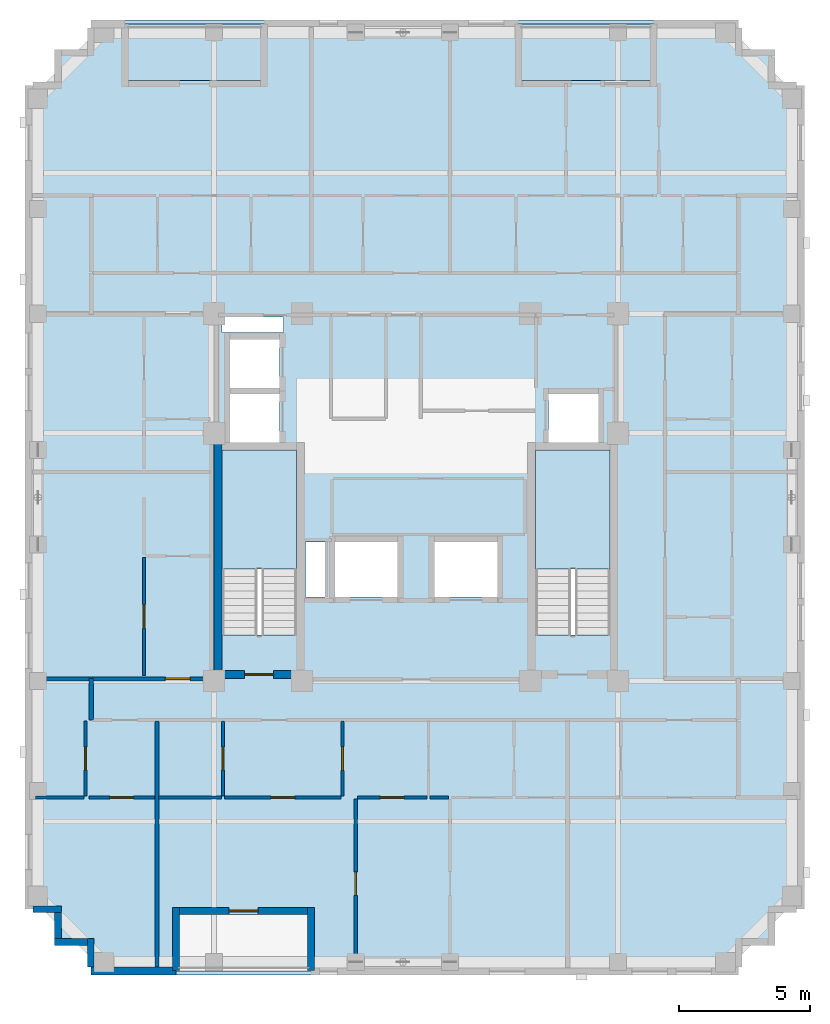
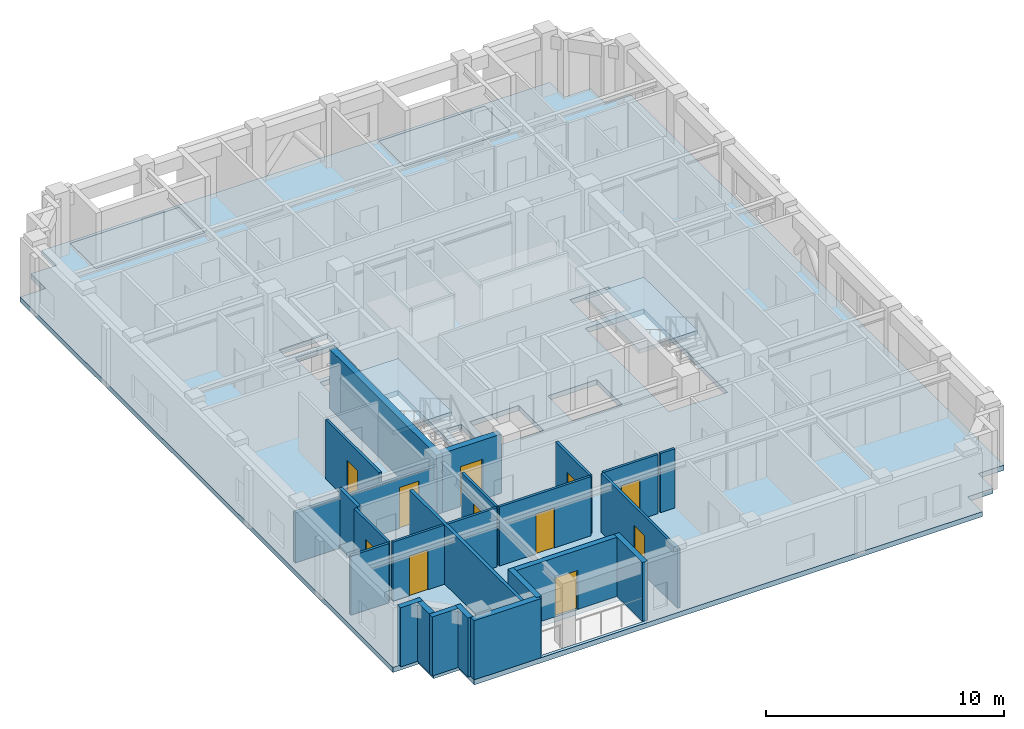
# One storey, part 2 of 11: 24 walls, 11 doors, 5 slabs, 11 openings, 2 elements without a shape of their own.
"""IFC4 building model written with IfcOpenShell, lengths in metres."""

from ifc_helpers import new_model, si_unit, derived_unit, direction, frame, frame_2d, origin, place, context, subcontext, project, spatial, polyline, rectangle, outline, extrude, material, layer, layer_set, type_object, element, fill, aggregate, save


model = new_model("IFC4")

# Units and contexts
model_context = context("Model", 3, precision=1e-05, world=origin(), true_north=direction((0.0, 1.0)))
body_context = subcontext(model_context, "Body", "Model", "MODEL_VIEW")
ifc_project = project(units=[si_unit("LENGTHUNIT", "METRE"), si_unit("AREAUNIT", "SQUARE_METRE"), si_unit("VOLUMEUNIT", "CUBIC_METRE"), si_unit("PLANEANGLEUNIT", "RADIAN"), si_unit("MASSUNIT", "GRAM", prefix="KILO"), derived_unit("THERMALTRANSMITTANCEUNIT", [(si_unit("MASSUNIT", "GRAM", prefix="KILO"), 1), (si_unit("TIMEUNIT", "SECOND"), -3), (si_unit("THERMODYNAMICTEMPERATUREUNIT", "KELVIN"), -1)])], contexts=[model_context])

# Site, building, storey
site_placement = place(None, origin())
site = spatial("IfcSite", under=ifc_project, at=site_placement, CompositionType="ELEMENT")
building_placement = place(site_placement, origin())
building = spatial("IfcBuilding", under=site, at=building_placement, Name="Korrvale Station Residences", CompositionType="ELEMENT")
storey_placement = place(building_placement, frame((0.0, 0.0, 187.60009765625)))
storey = spatial("IfcBuildingStorey", under=building, at=storey_placement, Name="L54", CompositionType="ELEMENT", Elevation=187.60009765625)

# Slabs
ifc_material_1 = material(Name="Concrete C50/60", Category="concrete")
ifc_layer_1 = layer(ifc_material_1, 0.219970703125, Name="Concrete C50/60")
ifc_layer_set_1 = layer_set([ifc_layer_1], Name="Concrete C50/60")
slab_type_1 = type_object("IfcSlabType", Name="SLB-BAL-220", PredefinedType="FLOOR", material=ifc_layer_set_1)
slab_1_placement = place(storey_placement, frame((0.0, 0.0, -0.22021484375)))
element("IfcSlab", 1, at=slab_1_placement, inside=storey, type_object=slab_type_1, Name="L54 Recessed Loggia Balcony Slab BAL-L54-N1", PredefinedType="FLOOR", context=body_context, shape_type="SweptSolid", body=[
    extrude(outline(polyline([(29.39990234375, 37.89990234375), (34.550048828125, 37.89990234375), (34.550048828125, 40.050048828125), (29.39990234375, 40.050048828125), (29.39990234375, 37.89990234375)])), origin(), (0.0, 0.0, 1.0), 0.22021484375),
])
slab_2_placement = place(storey_placement, frame((0.0, 0.0, -0.22021484375)))
element("IfcSlab", 2, at=slab_2_placement, inside=storey, type_object=slab_type_1, Name="L54 Recessed Loggia Balcony Slab BAL-L54-N2", PredefinedType="FLOOR", context=body_context, shape_type="SweptSolid", body=[
    extrude(outline(polyline([(14.39990234375, 37.89990234375), (19.699951171875, 37.89990234375), (19.699951171875, 40.050048828125), (14.39990234375, 40.050048828125), (14.39990234375, 37.89990234375)])), origin(), (0.0, 0.0, 1.0), 0.22021484375),
])
ifc_layer_2 = layer(ifc_material_1, 0.260009765625, Name="Concrete C50/60")
ifc_layer_set_2 = layer_set([ifc_layer_2], Name="Concrete C50/60")
slab_type_2 = type_object("IfcSlabType", Name="SLB-FLR-260", PredefinedType="FLOOR", material=ifc_layer_set_2)
slab_3_placement = place(storey_placement, frame((0.0, 0.0, -0.260009765625)))
element("IfcSlab", 3, at=slab_3_placement, inside=storey, type_object=slab_type_2, Name="L54 Suspended Structural Floor Slab", PredefinedType="FLOOR", context=body_context, shape_type="SweptSolid", body=[
    extrude(outline(polyline([(13.10009765625, 3.800048828125), (37.800048828125, 3.800048828125), (37.800048828125, 5.050048828125), (39.050048828125, 5.050048828125), (39.050048828125, 6.300048828125), (40.300048828125, 6.300048828125), (40.300048828125, 37.699951171875), (39.050048828125, 37.699951171875), (39.050048828125, 38.949951171875), (37.800048828125, 38.949951171875), (37.800048828125, 40.199951171875), (13.10009765625, 40.199951171875), (13.10009765625, 38.949951171875), (11.85009765625, 38.949951171875), (11.85009765625, 37.699951171875), (10.60009765625, 37.699951171875), (10.60009765625, 6.300048828125), (11.85009765625, 6.300048828125), (11.85009765625, 5.050048828125), (13.10009765625, 5.050048828125), (13.10009765625, 3.800048828125)]), holes=[polyline([(20.949951171875, 16.751953125), (20.949951171875, 23.800048828125), (18.10009765625, 23.800048828125), (18.10009765625, 16.751953125), (20.949951171875, 16.751953125)]), polyline([(32.89990234375, 16.751953125), (32.89990234375, 23.800048828125), (30.050048828125, 23.800048828125), (30.050048828125, 16.751953125), (32.89990234375, 16.751953125)]), polyline([(18.39990234375, 24.10009765625), (20.300048828125, 24.10009765625), (20.300048828125, 25.949951171875), (18.39990234375, 25.949951171875), (18.39990234375, 24.10009765625)]), polyline([(18.39990234375, 26.169921875), (20.300048828125, 26.169921875), (20.300048828125, 28.02001953125), (18.39990234375, 28.02001953125), (18.39990234375, 26.169921875)]), polyline([(30.550048828125, 24.10009765625), (32.449951171875, 24.10009765625), (32.449951171875, 25.949951171875), (30.550048828125, 25.949951171875), (30.550048828125, 24.10009765625)]), polyline([(22.39990234375, 18.199951171875), (24.800048828125, 18.199951171875), (24.800048828125, 20.300048828125), (22.39990234375, 20.300048828125), (22.39990234375, 18.199951171875)]), polyline([(26.199951171875, 18.199951171875), (28.60009765625, 18.199951171875), (28.60009765625, 20.300048828125), (26.199951171875, 20.300048828125), (26.199951171875, 18.199951171875)]), polyline([(18.10009765625, 28.280029296875), (20.449951171875, 28.280029296875), (20.449951171875, 28.8798828125), (18.10009765625, 28.8798828125), (18.10009765625, 28.280029296875)]), polyline([(21.280029296875, 18.199951171875), (22.02001953125, 18.199951171875), (22.02001953125, 20.300048828125), (21.280029296875, 20.300048828125), (21.280029296875, 18.199951171875)]), polyline([(16.35009765625, 3.949951171875), (21.5, 3.949951171875), (21.5, 6.10009765625), (16.35009765625, 6.10009765625), (16.35009765625, 3.949951171875)]), polyline([(29.39990234375, 37.89990234375), (34.550048828125, 37.89990234375), (34.550048828125, 40.050048828125), (29.39990234375, 40.050048828125), (29.39990234375, 37.89990234375)]), polyline([(14.39990234375, 37.89990234375), (19.699951171875, 37.89990234375), (19.699951171875, 40.050048828125), (14.39990234375, 40.050048828125), (14.39990234375, 37.89990234375)])]), origin(), (0.0, 0.0, 1.0), 0.260009765625),
])

# Stair, slab
stair_type = type_object("IfcStairType", Name="STR-DL-1350-20R-1650", PredefinedType="HALF_TURN_STAIR", material=ifc_material_1)
stair_1_placement = place(storey_placement, origin())
stair_1 = element("IfcStair", 4, at=stair_1_placement, inside=storey, type_object=stair_type, Name="L54 Exit Stair 1", PredefinedType="HALF_TURN_STAIR")
ifc_layer_3 = layer(ifc_material_1, 0.199951171875, Name="Concrete C50/60")
ifc_layer_set_3 = layer_set([ifc_layer_3], Name="Concrete C50/60")
slab_type_3 = type_object("IfcSlabType", Name="SLB-LND-200", PredefinedType="LANDING", material=ifc_layer_set_3)
slab_4_placement = place(storey_placement, frame((0.0, 0.0, 1.449951171875)))
slab_4 = element("IfcSlab", 5, at=slab_4_placement, type_object=slab_type_3, Name="ST-1 landing 1", PredefinedType="LANDING", context=body_context, shape_type="SweptSolid", body=[
    extrude(outline(polyline([(20.949951171875, 19.27001953125), (20.949951171875, 23.800048828125), (18.10009765625, 23.800048828125), (18.10009765625, 19.27001953125), (20.949951171875, 19.27001953125)])), origin(), (0.0, 0.0, 1.0), 0.199951171875),
])
aggregate(stair_1, [slab_4])

stair_2_placement = place(storey_placement, origin())
stair_2 = element("IfcStair", 6, at=stair_2_placement, inside=storey, type_object=stair_type, Name="L54 Exit Stair 2", PredefinedType="HALF_TURN_STAIR")
slab_5_placement = place(storey_placement, frame((0.0, 0.0, 1.449951171875)))
slab_5 = element("IfcSlab", 7, at=slab_5_placement, type_object=slab_type_3, Name="ST-2 landing 1", PredefinedType="LANDING", context=body_context, shape_type="SweptSolid", body=[
    extrude(outline(polyline([(32.89990234375, 19.27001953125), (32.89990234375, 23.800048828125), (30.050048828125, 23.800048828125), (30.050048828125, 19.27001953125), (32.89990234375, 19.27001953125)])), origin(), (0.0, 0.0, 1.0), 0.199951171875),
])
aggregate(stair_2, [slab_5])

# Wall
ifc_layer_4 = layer(ifc_material_1, 0.300048828125, Name="Concrete C50/60")
ifc_layer_set_4 = layer_set([ifc_layer_4], Name="Concrete C50/60")
wall_type_1 = type_object("IfcWallType", Name="WAL-CORE-300-C50", PredefinedType="SHEAR", material=ifc_layer_set_4)
wall_1_placement = place(storey_placement, frame((17.949951171875, 15.10009765625, 0.0), z_axis=(0.0, 0.0, 1.0), x_axis=(0.0, 1.0, 0.0)))
element("IfcWall", 8, at=wall_1_placement, inside=storey, type_object=wall_type_1, Name="L54 ST-1 Core Shear Wall West", PredefinedType="SHEAR", context=body_context, shape_type="SweptSolid", body=[
    extrude(rectangle(XDim=9.0, YDim=0.300048828125, at=frame_2d((4.5, 0.0))), origin(), (0.0, 0.0, 1.0), 3.039794921875),
])

# Wall, opening, door
wall_2_placement = place(storey_placement, frame((18.10009765625, 15.25, 0.0), z_axis=(0.0, 0.0, 1.0), x_axis=(1.0, 0.0, 0.0)))
wall_2 = element("IfcWall", 9, at=wall_2_placement, inside=storey, type_object=wall_type_1, Name="L54 ST-1 Core Shear Wall South", PredefinedType="SHEAR", context=body_context, shape_type="SweptSolid", body=[
    extrude(rectangle(XDim=2.849853515625, YDim=0.300048828125, at=frame_2d((1.4248046875, 0.0))), origin(), (0.0, 0.0, 1.0), 3.039794921875),
])
opening_1_placement = place(wall_2_placement, frame((0.860107421875, 0.0, 0.0)))
opening_1 = element("IfcOpeningElement", 10, at=opening_1_placement, cuts=wall_2, Name="Opening SD-1100", PredefinedType="OPENING", context=body_context, shape_type="SweptSolid", body=[
    extrude(rectangle(XDim=1.10009765625, YDim=2.050048828125, at=frame_2d((0.550048828125, 1.02490234375))), frame((0.0, 0.16015625, 0.0), z_axis=(0.0, -1.0, 0.0), x_axis=(1.0, 0.0, 0.0)), (0.0, 0.0, 1.0), 0.320068359375),
])
ifc_material_2 = material(Name="Hollow-metal fire-rated stair door with closer", Category="steel")
door_type_1 = type_object("IfcDoorType", Name="DR-STAIR-1100", OperationType="NOTDEFINED", PredefinedType="DOOR", material=ifc_material_2)
door_1_placement = place(opening_1_placement, origin())
door_1 = element("IfcDoor", 11, at=door_1_placement, inside=storey, type_object=door_type_1, Name="L54 ST-1 Exit Stair Door", OperationType="SINGLE_SWING_LEFT", OverallHeight=2.050048828125, OverallWidth=1.10009765625, PredefinedType="DOOR", context=body_context, shape_type="SweptSolid", body=[
    extrude(rectangle(XDim=1.10009765625, YDim=2.050048828125, at=frame_2d((0.550048828125, 1.02490234375))), frame((0.0, 0.02490234375, 0.0), z_axis=(0.0, -1.0, 0.0), x_axis=(1.0, 0.0, 0.0)), (0.0, 0.0, 1.0), 0.050048828125),
])
fill(opening_1, door_1)

# Wall
ifc_material_3 = material(Name="Precast concrete C45/55", Category="concrete")
ifc_layer_5 = layer(ifc_material_3, 0.260009765625, Name="Precast concrete C45/55")
ifc_layer_set_5 = layer_set([ifc_layer_5], Name="Precast concrete C45/55")
wall_type_2 = type_object("IfcWallType", Name="WAL-EXT-LOG260", PredefinedType="SOLIDWALL", material=ifc_layer_set_5)
wall_3_placement = place(storey_placement, frame((21.5, 3.9599609375, 0.0), z_axis=(0.0, 0.0, 1.0), x_axis=(0.0, 1.0, 0.0)))
element("IfcWall", 12, at=wall_3_placement, inside=storey, type_object=wall_type_2, Name="L54 Recessed Loggia Wall BAL-L54-S1-L", PredefinedType="SOLIDWALL", context=body_context, shape_type="SweptSolid", body=[
    extrude(rectangle(XDim=2.400146484375, YDim=0.260009765625, at=frame_2d((1.2001953125, 0.0))), origin(), (0.0, 0.0, 1.0), 3.039794921875),
])

# Wall, opening, door
wall_4_placement = place(storey_placement, frame((21.365966796875, 6.22998046875, 0.0), z_axis=(0.0, 0.0, 1.0), x_axis=(-1.0, 0.0, 0.0)))
wall_4 = element("IfcWall", 13, at=wall_4_placement, inside=storey, type_object=wall_type_2, Name="L54 Recessed Loggia Wall BAL-L54-S1-B", PredefinedType="SOLIDWALL", context=body_context, shape_type="SweptSolid", body=[
    extrude(rectangle(XDim=4.882080078125, YDim=0.260009765625, at=frame_2d((2.44091796875, 0.0))), origin(), (0.0, 0.0, 1.0), 3.039794921875),
])
opening_2_placement = place(wall_4_placement, frame((1.89111328125, 0.0, 0.0)))
opening_2 = element("IfcOpeningElement", 14, at=opening_2_placement, cuts=wall_4, Name="Opening BD-01", PredefinedType="OPENING", context=body_context, shape_type="SweptSolid", body=[
    extrude(rectangle(XDim=1.10009765625, YDim=2.0, at=frame_2d((0.550048828125, 1.0))), frame((0.0, 0.14013671875, 0.0), z_axis=(0.0, -1.0, 0.0), x_axis=(1.0, 0.0, 0.0)), (0.0, 0.0, 1.0), 0.280029296875),
])
ifc_material_4 = material(Name="Exterior thermally broken aluminium glazed balcony door", Category="aluminium")
door_type_2 = type_object("IfcDoorType", Name="DR-EXT-BAL", OperationType="NOTDEFINED", PredefinedType="DOOR", material=ifc_material_4)
door_2_placement = place(opening_2_placement, origin())
door_2 = element("IfcDoor", 15, at=door_2_placement, inside=storey, type_object=door_type_2, Name="L54 Loggia Balcony Door BAL-L54-S1", OperationType="SINGLE_SWING_RIGHT", OverallHeight=2.0, OverallWidth=1.10009765625, PredefinedType="DOOR", context=body_context, shape_type="SweptSolid", body=[
    extrude(rectangle(XDim=1.10009765625, YDim=2.0, at=frame_2d((0.550048828125, 1.0))), frame((0.0, 0.02490234375, 0.0), z_axis=(0.0, -1.0, 0.0), x_axis=(1.0, 0.0, 0.0)), (0.0, 0.0, 1.0), 0.050048828125),
])
fill(opening_2, door_2)

# Walls
wall_5_placement = place(storey_placement, frame((16.35009765625, 6.360107421875, 0.0), z_axis=(0.0, 0.0, 1.0), x_axis=(0.0, -1.0, 0.0)))
element("IfcWall", 16, at=wall_5_placement, inside=storey, type_object=wall_type_2, Name="L54 Recessed Loggia Wall BAL-L54-S1-R", PredefinedType="SOLIDWALL", context=body_context, shape_type="SweptSolid", body=[
    extrude(rectangle(XDim=2.400146484375, YDim=0.260009765625, at=frame_2d((1.2001953125, 0.0))), origin(), (0.0, 0.0, 1.0), 3.039794921875),
])
wall_6_placement = place(storey_placement, frame((13.10009765625, 4.10205078125, 0.0), z_axis=(0.0, 0.0, 1.0), x_axis=(0.0, 1.0, 0.0)))
element("IfcWall", 17, at=wall_6_placement, inside=storey, type_object=wall_type_2, Name="L54 Serrated Corner Precast Step SW-1", PredefinedType="SOLIDWALL", context=body_context, shape_type="SweptSolid", body=[
    extrude(rectangle(XDim=1.077880859375, YDim=0.260009765625, at=frame_2d((0.5390625, 0.0))), origin(), (0.0, 0.0, 1.0), 3.039794921875),
])
wall_7_placement = place(storey_placement, frame((12.968017578125, 5.050048828125, 0.0), z_axis=(0.0, 0.0, 1.0), x_axis=(-1.0, 0.0, 0.0)))
element("IfcWall", 18, at=wall_7_placement, inside=storey, type_object=wall_type_2, Name="L54 Serrated Corner Precast Step SW-2", PredefinedType="SOLIDWALL", context=body_context, shape_type="SweptSolid", body=[
    extrude(rectangle(XDim=1.248046875, YDim=0.260009765625, at=frame_2d((0.6240234375, 0.0))), origin(), (0.0, 0.0, 1.0), 3.039794921875),
])
wall_8_placement = place(storey_placement, frame((11.85009765625, 5.181884765625, 0.0), z_axis=(0.0, 0.0, 1.0), x_axis=(0.0, 1.0, 0.0)))
element("IfcWall", 19, at=wall_8_placement, inside=storey, type_object=wall_type_2, Name="L54 Serrated Corner Precast Step SW-3", PredefinedType="SOLIDWALL", context=body_context, shape_type="SweptSolid", body=[
    extrude(rectangle(XDim=0.986083984375, YDim=0.260009765625, at=frame_2d((0.4931640625, 0.0))), origin(), (0.0, 0.0, 1.0), 3.039794921875),
])
wall_9_placement = place(storey_placement, frame((11.97998046875, 6.300048828125, 0.0), z_axis=(0.0, 0.0, 1.0), x_axis=(-1.0, 0.0, 0.0)))
element("IfcWall", 20, at=wall_9_placement, inside=storey, type_object=wall_type_2, Name="L54 Serrated Corner Precast Step SW-4", PredefinedType="SOLIDWALL", context=body_context, shape_type="SweptSolid", body=[
    extrude(rectangle(XDim=1.077880859375, YDim=0.260009765625, at=frame_2d((0.5390625, 0.0))), origin(), (0.0, 0.0, 1.0), 3.039794921875),
])
ifc_layer_6 = layer(ifc_material_3, 0.300048828125, Name="Precast concrete C45/55")
ifc_layer_set_6 = layer_set([ifc_layer_6], Name="Precast concrete C45/55")
wall_type_3 = type_object("IfcWallType", Name="WAL-EXT-PC300", PredefinedType="SOLIDWALL", material=ifc_layer_set_6)
wall_10_placement = place(storey_placement, frame((16.35009765625, 3.949951171875, 0.0), z_axis=(0.0, 0.0, 1.0), x_axis=(-1.0, 0.0, 0.0)))
element("IfcWall", 21, at=wall_10_placement, inside=storey, type_object=wall_type_3, Name="L54 South Exterior Precast Wall 2", PredefinedType="SOLIDWALL", context=body_context, shape_type="SweptSolid", body=[
    extrude(rectangle(XDim=3.25, YDim=0.300048828125, at=frame_2d((1.625, 0.0))), origin(), (0.0, 0.0, 1.0), 3.039794921875),
])

# Wall, opening, door
ifc_material_5 = material(Name="Acoustic steel-stud gypsum board partition", Category="steel")
ifc_layer_7 = layer(ifc_material_5, 0.1201171875, Name="Acoustic steel-stud gypsum board partition")
ifc_layer_set_7 = layer_set([ifc_layer_7], Name="Acoustic steel-stud gypsum board partition")
wall_type_4 = type_object("IfcWallType", Name="WAL-PART-125", PredefinedType="PARTITIONING", material=ifc_layer_set_7)
wall_11_placement = place(storey_placement, frame((12.89990234375, 10.6201171875, 0.0), z_axis=(0.0, 0.0, 1.0), x_axis=(0.0, 1.0, 0.0)))
wall_11 = element("IfcWall", 22, at=wall_11_placement, inside=storey, type_object=wall_type_4, Name="L54 Suite Partition U01-V01", PredefinedType="PARTITIONING", context=body_context, shape_type="SweptSolid", body=[
    extrude(rectangle(XDim=2.849853515625, YDim=0.1201171875, at=frame_2d((1.4248046875, 0.0))), origin(), (0.0, 0.0, 1.0), 3.039794921875),
])
opening_3_placement = place(wall_11_placement, frame((0.9951171875, 0.0, 0.0)))
opening_3 = element("IfcOpeningElement", 23, at=opening_3_placement, cuts=wall_11, Name="Opening DB-860", PredefinedType="OPENING", context=body_context, shape_type="SweptSolid", body=[
    extrude(rectangle(XDim=0.860107421875, YDim=2.050048828125, at=frame_2d((0.43017578125, 1.02490234375))), frame((0.0, 0.070068359375, 0.0), z_axis=(0.0, -1.0, 0.0), x_axis=(1.0, 0.0, 0.0)), (0.0, 0.0, 1.0), 0.14013671875),
])
ifc_material_6 = material(Name="Moisture-resistant solid-core bathroom door", Category="timber")
door_type_3 = type_object("IfcDoorType", Name="DR-BATH-860", OperationType="NOTDEFINED", PredefinedType="DOOR", material=ifc_material_6)
door_3_placement = place(opening_3_placement, origin())
door_3 = element("IfcDoor", 24, at=door_3_placement, inside=storey, type_object=door_type_3, Name="L54 Studio Apartment L54-U01 Bathroom Door", OperationType="SINGLE_SWING_LEFT", OverallHeight=2.050048828125, OverallWidth=0.860107421875, PredefinedType="DOOR", context=body_context, shape_type="SweptSolid", body=[
    extrude(rectangle(XDim=0.860107421875, YDim=2.050048828125, at=frame_2d((0.43017578125, 1.02490234375))), frame((0.0, 0.02490234375, 0.0), z_axis=(0.0, -1.0, 0.0), x_axis=(1.0, 0.0, 0.0)), (0.0, 0.0, 1.0), 0.050048828125),
])
fill(opening_3, door_3)

# Wall
wall_12_placement = place(storey_placement, frame((10.989990234375, 10.56005859375, 0.0), z_axis=(0.0, 0.0, 1.0), x_axis=(1.0, 0.0, 0.0)))
element("IfcWall", 25, at=wall_12_placement, inside=storey, type_object=wall_type_4, Name="L54 Suite Partition U01-H02", PredefinedType="PARTITIONING", context=body_context, shape_type="SweptSolid", body=[
    extrude(rectangle(XDim=1.85009765625, YDim=0.1201171875, at=frame_2d((0.925048828125, 0.0))), origin(), (0.0, 0.0, 1.0), 3.039794921875),
])

# Wall, opening, door
wall_13_placement = place(storey_placement, frame((13.030029296875, 10.56005859375, 0.0), z_axis=(0.0, 0.0, 1.0), x_axis=(1.0, 0.0, 0.0)))
wall_13 = element("IfcWall", 26, at=wall_13_placement, inside=storey, type_object=wall_type_4, Name="L54 Suite Partition U01-H12", PredefinedType="PARTITIONING", context=body_context, shape_type="SweptSolid", body=[
    extrude(rectangle(XDim=2.489990234375, YDim=0.1201171875, at=frame_2d((1.2451171875, 0.0))), origin(), (0.0, 0.0, 1.0), 3.039794921875),
])
opening_4_placement = place(wall_13_placement, frame((0.794921875, 0.0, 0.0)))
opening_4 = element("IfcOpeningElement", 27, at=opening_4_placement, cuts=wall_13, Name="Opening DI-900", PredefinedType="OPENING", context=body_context, shape_type="SweptSolid", body=[
    extrude(rectangle(XDim=0.89990234375, YDim=2.050048828125, at=frame_2d((0.449951171875, 1.02490234375))), frame((0.0, 0.070068359375, 0.0), z_axis=(0.0, -1.0, 0.0), x_axis=(1.0, 0.0, 0.0)), (0.0, 0.0, 1.0), 0.14013671875),
])
ifc_material_7 = material(Name="Painted solid-core timber interior room door", Category="wood")
door_type_4 = type_object("IfcDoorType", Name="DR-INT-900", OperationType="NOTDEFINED", PredefinedType="DOOR", material=ifc_material_7)
door_4_placement = place(opening_4_placement, origin())
door_4 = element("IfcDoor", 28, at=door_4_placement, inside=storey, type_object=door_type_4, Name="L54 Studio Apartment L54-U01 Kitchen Door", OperationType="SINGLE_SWING_RIGHT", OverallHeight=2.050048828125, OverallWidth=0.89990234375, PredefinedType="DOOR", context=body_context, shape_type="SweptSolid", body=[
    extrude(rectangle(XDim=0.89990234375, YDim=2.050048828125, at=frame_2d((0.449951171875, 1.02490234375))), frame((0.0, 0.02490234375, 0.0), z_axis=(0.0, -1.0, 0.0), x_axis=(1.0, 0.0, 0.0)), (0.0, 0.0, 1.0), 0.050048828125),
])
fill(opening_4, door_4)

wall_14_placement = place(storey_placement, frame((18.139892578125, 10.6201171875, 0.0), z_axis=(0.0, 0.0, 1.0), x_axis=(0.0, 1.0, 0.0)))
wall_14 = element("IfcWall", 29, at=wall_14_placement, inside=storey, type_object=wall_type_4, Name="L54 Suite Partition U02-V01", PredefinedType="PARTITIONING", context=body_context, shape_type="SweptSolid", body=[
    extrude(rectangle(XDim=2.849853515625, YDim=0.1201171875, at=frame_2d((1.4248046875, 0.0))), origin(), (0.0, 0.0, 1.0), 3.039794921875),
])
opening_5_placement = place(wall_14_placement, frame((0.9951171875, 0.0, 0.0)))
opening_5 = element("IfcOpeningElement", 30, at=opening_5_placement, cuts=wall_14, Name="Opening DB-860", PredefinedType="OPENING", context=body_context, shape_type="SweptSolid", body=[
    extrude(rectangle(XDim=0.860107421875, YDim=2.050048828125, at=frame_2d((0.43017578125, 1.02490234375))), frame((0.0, 0.070068359375, 0.0), z_axis=(0.0, -1.0, 0.0), x_axis=(1.0, 0.0, 0.0)), (0.0, 0.0, 1.0), 0.14013671875),
])
door_5_placement = place(opening_5_placement, origin())
door_5 = element("IfcDoor", 31, at=door_5_placement, inside=storey, type_object=door_type_3, Name="L54 Apartment 1BR L54-U02 Bathroom Door", OperationType="SINGLE_SWING_LEFT", OverallHeight=2.050048828125, OverallWidth=0.860107421875, PredefinedType="DOOR", context=body_context, shape_type="SweptSolid", body=[
    extrude(rectangle(XDim=0.860107421875, YDim=2.050048828125, at=frame_2d((0.43017578125, 1.02490234375))), frame((0.0, 0.02490234375, 0.0), z_axis=(0.0, -1.0, 0.0), x_axis=(1.0, 0.0, 0.0)), (0.0, 0.0, 1.0), 0.050048828125),
])
fill(opening_5, door_5)

# Wall
wall_15_placement = place(storey_placement, frame((15.679931640625, 10.56005859375, 0.0), z_axis=(0.0, 0.0, 1.0), x_axis=(1.0, 0.0, 0.0)))
element("IfcWall", 32, at=wall_15_placement, inside=storey, type_object=wall_type_4, Name="L54 Suite Partition U02-H05", PredefinedType="PARTITIONING", context=body_context, shape_type="SweptSolid", body=[
    extrude(rectangle(XDim=2.400146484375, YDim=0.1201171875, at=frame_2d((1.2001953125, 0.0))), origin(), (0.0, 0.0, 1.0), 3.039794921875),
])

# Wall, opening, door
wall_16_placement = place(storey_placement, frame((22.699951171875, 10.6201171875, 0.0), z_axis=(0.0, 0.0, 1.0), x_axis=(0.0, 1.0, 0.0)))
wall_16 = element("IfcWall", 33, at=wall_16_placement, inside=storey, type_object=wall_type_4, Name="L54 Suite Partition U02-V12", PredefinedType="PARTITIONING", context=body_context, shape_type="SweptSolid", body=[
    extrude(rectangle(XDim=2.849853515625, YDim=0.1201171875, at=frame_2d((1.4248046875, 0.0))), origin(), (0.0, 0.0, 1.0), 3.039794921875),
])
opening_6_placement = place(wall_16_placement, frame((0.97509765625, 0.0, 0.0)))
opening_6 = element("IfcOpeningElement", 34, at=opening_6_placement, cuts=wall_16, Name="Opening DI-900", PredefinedType="OPENING", context=body_context, shape_type="SweptSolid", body=[
    extrude(rectangle(XDim=0.89990234375, YDim=2.050048828125, at=frame_2d((0.449951171875, 1.02490234375))), frame((0.0, 0.070068359375, 0.0), z_axis=(0.0, -1.0, 0.0), x_axis=(1.0, 0.0, 0.0)), (0.0, 0.0, 1.0), 0.14013671875),
])
door_6_placement = place(opening_6_placement, origin())
door_6 = element("IfcDoor", 35, at=door_6_placement, inside=storey, type_object=door_type_4, Name="L54 Apartment 1BR L54-U02 Kitchen Door", OperationType="SINGLE_SWING_RIGHT", OverallHeight=2.050048828125, OverallWidth=0.89990234375, PredefinedType="DOOR", context=body_context, shape_type="SweptSolid", body=[
    extrude(rectangle(XDim=0.89990234375, YDim=2.050048828125, at=frame_2d((0.449951171875, 1.02490234375))), frame((0.0, 0.02490234375, 0.0), z_axis=(0.0, -1.0, 0.0), x_axis=(1.0, 0.0, 0.0)), (0.0, 0.0, 1.0), 0.050048828125),
])
fill(opening_6, door_6)

wall_17_placement = place(storey_placement, frame((18.199951171875, 10.56005859375, 0.0), z_axis=(0.0, 0.0, 1.0), x_axis=(1.0, 0.0, 0.0)))
wall_17 = element("IfcWall", 36, at=wall_17_placement, inside=storey, type_object=wall_type_4, Name="L54 Suite Partition U02-H15", PredefinedType="PARTITIONING", context=body_context, shape_type="SweptSolid", body=[
    extrude(rectangle(XDim=4.43994140625, YDim=0.1201171875, at=frame_2d((2.219970703125, 0.0))), origin(), (0.0, 0.0, 1.0), 3.039794921875),
])
opening_7_placement = place(wall_17_placement, frame((1.77001953125, 0.0, 0.0)))
opening_7 = element("IfcOpeningElement", 37, at=opening_7_placement, cuts=wall_17, Name="Opening DI-900", PredefinedType="OPENING", context=body_context, shape_type="SweptSolid", body=[
    extrude(rectangle(XDim=0.89990234375, YDim=2.050048828125, at=frame_2d((0.449951171875, 1.02490234375))), frame((0.0, 0.070068359375, 0.0), z_axis=(0.0, -1.0, 0.0), x_axis=(1.0, 0.0, 0.0)), (0.0, 0.0, 1.0), 0.14013671875),
])
door_7_placement = place(opening_7_placement, origin())
door_7 = element("IfcDoor", 38, at=door_7_placement, inside=storey, type_object=door_type_4, Name="L54 Apartment 1BR L54-U02 Kitchen Door", OperationType="SINGLE_SWING_LEFT", OverallHeight=2.050048828125, OverallWidth=0.89990234375, PredefinedType="DOOR", context=body_context, shape_type="SweptSolid", body=[
    extrude(rectangle(XDim=0.89990234375, YDim=2.050048828125, at=frame_2d((0.449951171875, 1.02490234375))), frame((0.0, 0.02490234375, 0.0), z_axis=(0.0, -1.0, 0.0), x_axis=(1.0, 0.0, 0.0)), (0.0, 0.0, 1.0), 0.050048828125),
])
fill(opening_7, door_7)

wall_18_placement = place(storey_placement, frame((23.260009765625, 10.56005859375, 0.0), z_axis=(0.0, 0.0, 1.0), x_axis=(1.0, 0.0, 0.0)))
wall_18 = element("IfcWall", 39, at=wall_18_placement, inside=storey, type_object=wall_type_4, Name="L54 Suite Partition U02-H26", PredefinedType="PARTITIONING", context=body_context, shape_type="SweptSolid", body=[
    extrude(rectangle(XDim=2.64990234375, YDim=0.1201171875, at=frame_2d((1.324951171875, 0.0))), origin(), (0.0, 0.0, 1.0), 3.039794921875),
])
opening_8_placement = place(wall_18_placement, frame((0.875, 0.0, 0.0)))
opening_8 = element("IfcOpeningElement", 40, at=opening_8_placement, cuts=wall_18, Name="Opening DI-900", PredefinedType="OPENING", context=body_context, shape_type="SweptSolid", body=[
    extrude(rectangle(XDim=0.89990234375, YDim=2.050048828125, at=frame_2d((0.449951171875, 1.02490234375))), frame((0.0, 0.070068359375, 0.0), z_axis=(0.0, -1.0, 0.0), x_axis=(1.0, 0.0, 0.0)), (0.0, 0.0, 1.0), 0.14013671875),
])
door_8_placement = place(opening_8_placement, origin())
door_8 = element("IfcDoor", 41, at=door_8_placement, inside=storey, type_object=door_type_4, Name="L54 Apartment 1BR L54-U02 Home Study Room Door", OperationType="SINGLE_SWING_LEFT", OverallHeight=2.050048828125, OverallWidth=0.89990234375, PredefinedType="DOOR", context=body_context, shape_type="SweptSolid", body=[
    extrude(rectangle(XDim=0.89990234375, YDim=2.050048828125, at=frame_2d((0.449951171875, 1.02490234375))), frame((0.0, 0.02490234375, 0.0), z_axis=(0.0, -1.0, 0.0), x_axis=(1.0, 0.0, 0.0)), (0.0, 0.0, 1.0), 0.050048828125),
])
fill(opening_8, door_8)

# Wall
wall_19_placement = place(storey_placement, frame((26.030029296875, 10.56005859375, 0.0), z_axis=(0.0, 0.0, 1.0), x_axis=(1.0, 0.0, 0.0)))
element("IfcWall", 42, at=wall_19_placement, inside=storey, type_object=wall_type_4, Name="L54 Suite Partition U02-H36", PredefinedType="PARTITIONING", context=body_context, shape_type="SweptSolid", body=[
    extrude(rectangle(XDim=0.7099609375, YDim=0.1201171875, at=frame_2d((0.35498046875, 0.0))), origin(), (0.0, 0.0, 1.0), 3.039794921875),
])

# Wall, opening, door
wall_20_placement = place(storey_placement, frame((23.199951171875, 4.080078125, 0.0), z_axis=(0.0, 0.0, 1.0), x_axis=(0.0, 1.0, 0.0)))
wall_20 = element("IfcWall", 43, at=wall_20_placement, inside=storey, type_object=wall_type_4, Name="L54 Suite Partition U02-V56", PredefinedType="PARTITIONING", context=body_context, shape_type="SweptSolid", body=[
    extrude(rectangle(XDim=6.419921875, YDim=0.1201171875, at=frame_2d((3.2099609375, 0.0))), origin(), (0.0, 0.0, 1.0), 3.039794921875),
])
opening_9_placement = place(wall_20_placement, frame((2.7451171875, 0.0, 0.0)))
opening_9 = element("IfcOpeningElement", 44, at=opening_9_placement, cuts=wall_20, Name="Opening DI-900", PredefinedType="OPENING", context=body_context, shape_type="SweptSolid", body=[
    extrude(rectangle(XDim=0.89990234375, YDim=2.050048828125, at=frame_2d((0.449951171875, 1.02490234375))), frame((0.0, 0.070068359375, 0.0), z_axis=(0.0, -1.0, 0.0), x_axis=(1.0, 0.0, 0.0)), (0.0, 0.0, 1.0), 0.14013671875),
])
door_9_placement = place(opening_9_placement, origin())
door_9 = element("IfcDoor", 45, at=door_9_placement, inside=storey, type_object=door_type_4, Name="L54 Apartment 1BR L54-U02 Living and Dining Room Door", OperationType="SINGLE_SWING_LEFT", OverallHeight=2.050048828125, OverallWidth=0.89990234375, PredefinedType="DOOR", context=body_context, shape_type="SweptSolid", body=[
    extrude(rectangle(XDim=0.89990234375, YDim=2.050048828125, at=frame_2d((0.449951171875, 1.02490234375))), frame((0.0, 0.02490234375, 0.0), z_axis=(0.0, -1.0, 0.0), x_axis=(1.0, 0.0, 0.0)), (0.0, 0.0, 1.0), 0.050048828125),
])
fill(opening_9, door_9)

wall_21_placement = place(storey_placement, frame((15.1298828125, 15.2099609375, 0.0), z_axis=(0.0, 0.0, 1.0), x_axis=(0.0, 1.0, 0.0)))
wall_21 = element("IfcWall", 46, at=wall_21_placement, inside=storey, type_object=wall_type_4, Name="L54 Suite Partition U07-V12", PredefinedType="PARTITIONING", context=body_context, shape_type="SweptSolid", body=[
    extrude(rectangle(XDim=4.5, YDim=0.1201171875, at=frame_2d((2.25, 0.0))), origin(), (0.0, 0.0, 1.0), 3.039794921875),
])
opening_10_placement = place(wall_21_placement, frame((1.800048828125, 0.0, 0.0)))
opening_10 = element("IfcOpeningElement", 47, at=opening_10_placement, cuts=wall_21, Name="Opening DI-900", PredefinedType="OPENING", context=body_context, shape_type="SweptSolid", body=[
    extrude(rectangle(XDim=0.89990234375, YDim=2.050048828125, at=frame_2d((0.449951171875, 1.02490234375))), frame((0.0, 0.070068359375, 0.0), z_axis=(0.0, -1.0, 0.0), x_axis=(1.0, 0.0, 0.0)), (0.0, 0.0, 1.0), 0.14013671875),
])
door_10_placement = place(opening_10_placement, origin())
door_10 = element("IfcDoor", 48, at=door_10_placement, inside=storey, type_object=door_type_4, Name="L54 Studio Apartment L54-U07 Kitchen Door", OperationType="SINGLE_SWING_RIGHT", OverallHeight=2.050048828125, OverallWidth=0.89990234375, PredefinedType="DOOR", context=body_context, shape_type="SweptSolid", body=[
    extrude(rectangle(XDim=0.89990234375, YDim=2.050048828125, at=frame_2d((0.449951171875, 1.02490234375))), frame((0.0, 0.02490234375, 0.0), z_axis=(0.0, -1.0, 0.0), x_axis=(1.0, 0.0, 0.0)), (0.0, 0.0, 1.0), 0.050048828125),
])
fill(opening_10, door_10)

# Walls
ifc_material_8 = material(Name="Fire-rated twin-stud gypsum and mineral wool shaftwall assembly", Category="gypsum")
ifc_layer_8 = layer(ifc_material_8, 0.159912109375, Name="Fire-rated twin-stud gypsum and mineral wool shaftwall assembly")
ifc_layer_set_8 = layer_set([ifc_layer_8], Name="Fire-rated twin-stud gypsum and mineral wool shaftwall assembly")
wall_type_5 = type_object("IfcWallType", Name="WAL-PART-200", PredefinedType="PARTITIONING", material=ifc_layer_set_8)
wall_22_placement = place(storey_placement, frame((13.1201171875, 13.510009765625, 0.0), z_axis=(0.0, 0.0, 1.0), x_axis=(0.0, 1.0, 0.0)))
element("IfcWall", 49, at=wall_22_placement, inside=storey, type_object=wall_type_5, Name="L54 Corridor South West Cap", PredefinedType="PARTITIONING", context=body_context, shape_type="SweptSolid", body=[
    extrude(rectangle(XDim=1.580078125, YDim=0.159912109375, at=frame_2d((0.7900390625, 0.0))), origin(), (0.0, 0.0, 1.0), 3.039794921875),
])
wall_23_placement = place(storey_placement, frame((15.6201171875, 4.080078125, 0.0), z_axis=(0.0, 0.0, 1.0), x_axis=(0.0, 1.0, 0.0)))
element("IfcWall", 50, at=wall_23_placement, inside=storey, type_object=wall_type_5, Name="L54 Demising Wall U02-W", PredefinedType="PARTITIONING", context=body_context, shape_type="SweptSolid", body=[
    extrude(rectangle(XDim=9.389892578125, YDim=0.159912109375, at=frame_2d((4.69482421875, 0.0))), origin(), (0.0, 0.0, 1.0), 3.039794921875),
])

# Wall, opening, door
wall_24_placement = place(storey_placement, frame((10.8798828125, 15.080078125, 0.0), z_axis=(0.0, 0.0, 1.0), x_axis=(1.0, 0.0, 0.0)))
wall_24 = element("IfcWall", 51, at=wall_24_placement, inside=storey, type_object=wall_type_5, Name="L54 Side Suite South Entry Wall U07", PredefinedType="PARTITIONING", context=body_context, shape_type="SweptSolid", body=[
    extrude(rectangle(XDim=6.880126953125, YDim=0.159912109375, at=frame_2d((3.43994140625, 0.0))), origin(), (0.0, 0.0, 1.0), 2.555908203125),
])
opening_11_placement = place(wall_24_placement, frame((5.06005859375, 0.0, 0.0)))
opening_11 = element("IfcOpeningElement", 52, at=opening_11_placement, cuts=wall_24, Name="Opening UD-950", PredefinedType="OPENING", context=body_context, shape_type="SweptSolid", body=[
    extrude(rectangle(XDim=0.949951171875, YDim=2.10009765625, at=frame_2d((0.47509765625, 1.050048828125))), frame((0.0, 0.08984375, 0.0), z_axis=(0.0, -1.0, 0.0), x_axis=(1.0, 0.0, 0.0)), (0.0, 0.0, 1.0), 0.179931640625),
])
ifc_material_9 = material(Name="Solid-core acoustic oak apartment entrance door", Category="timber")
door_type_5 = type_object("IfcDoorType", Name="DR-UNIT-950", OperationType="NOTDEFINED", PredefinedType="DOOR", material=ifc_material_9)
door_11_placement = place(opening_11_placement, origin())
door_11 = element("IfcDoor", 53, at=door_11_placement, inside=storey, type_object=door_type_5, Name="L54 Apartment L54-U07 Entrance Door", OperationType="SINGLE_SWING_RIGHT", OverallHeight=2.10009765625, OverallWidth=0.949951171875, PredefinedType="DOOR", context=body_context, shape_type="SweptSolid", body=[
    extrude(rectangle(XDim=0.949951171875, YDim=2.10009765625, at=frame_2d((0.47509765625, 1.050048828125))), frame((0.0, 0.02490234375, 0.0), z_axis=(0.0, -1.0, 0.0), x_axis=(1.0, 0.0, 0.0)), (0.0, 0.0, 1.0), 0.050048828125),
])
fill(opening_11, door_11)

save(model, "model.ifc")
